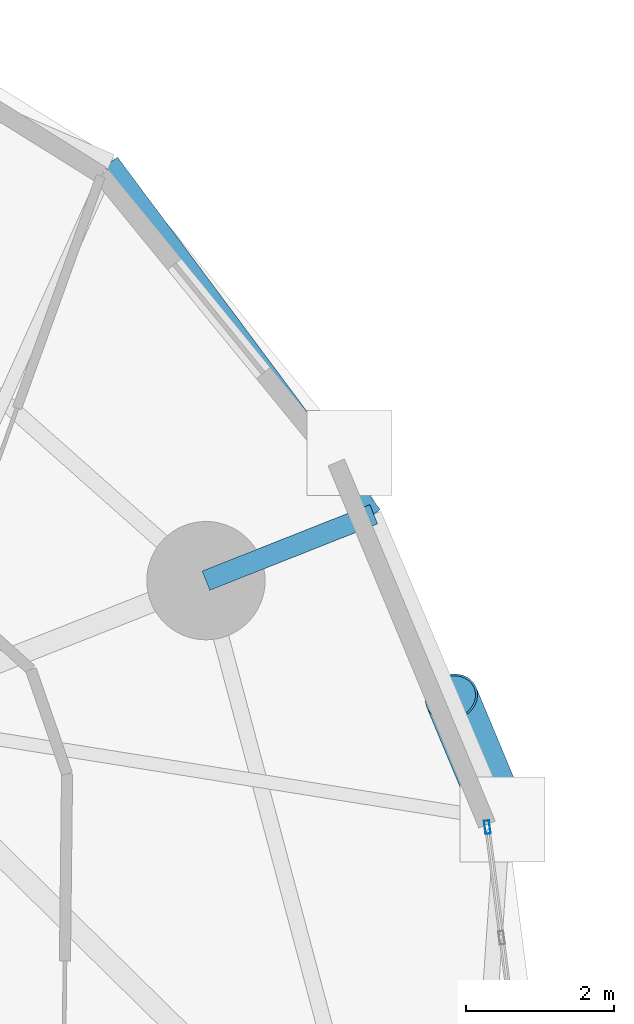
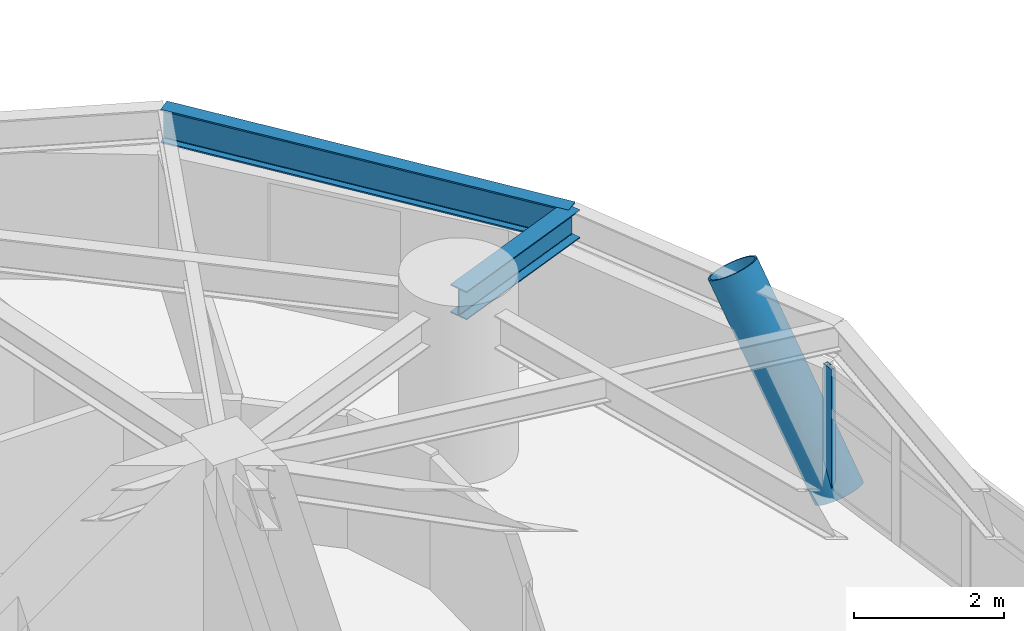
# One storey, part 5 of 18: 2 beams, 2 members, 1 element without a shape of its own.
"""IFC4 building model written with IfcOpenShell, lengths in metres."""

from ifc_helpers import new_model, si_unit, direction, frame, origin, origin_2d, place, context, subcontext, project, spatial, hollow_rectangle, hollow_circle, i_section, extrude, material, layer, layer_set, material_profile, profile_set, type_object, element, aggregate, save


model = new_model("IFC4")

# Units and contexts
model_context = context("Model", 3, precision=1e-05, world=origin(), true_north=direction((0.0, 1.0)))
body_context = subcontext(model_context, "Body", "Model", "MODEL_VIEW")
ifc_project = project(units=[si_unit("LENGTHUNIT", "METRE"), si_unit("AREAUNIT", "SQUARE_METRE"), si_unit("VOLUMEUNIT", "CUBIC_METRE"), si_unit("PLANEANGLEUNIT", "RADIAN"), si_unit("MASSUNIT", "GRAM", prefix="KILO")], contexts=[model_context])

# Site, building, storey
site_placement = place(None, origin())
site = spatial("IfcSite", under=ifc_project, at=site_placement, CompositionType="ELEMENT")
building_placement = place(site_placement, origin())
building = spatial("IfcBuilding", under=site, at=building_placement, Name="Cununo Teusaquillo Station Towers", CompositionType="ELEMENT")
storey_placement = place(building_placement, frame((0.0, 0.0, 22.0)))
storey = spatial("IfcBuildingStorey", under=building, at=storey_placement, Name="L05", CompositionType="ELEMENT", Elevation=22.0)

# Beams
ifc_material_1 = material(Name="Steel ASTM A572 Grade 50", Category="steel")
ifc_material_profile_1 = material_profile(ifc_material_1, i_section(OverallWidth=0.280029296875, OverallDepth=0.462890625, WebThickness=0.0107421875, FlangeThickness=0.017333984375, FilletRadius=0.013916015625, at=origin_2d()), Name="W18X76")
ifc_profile_set_1 = profile_set([ifc_material_profile_1], Name="Steel ASTM A572 Grade 50")
beam_type_1 = type_object("IfcBeamType", Name="BM-RAD-G1", PredefinedType="BEAM", material=ifc_profile_set_1)
beam_1_placement = place(storey_placement, frame((26.347412109375, 33.228515625, 2.41845703125), z_axis=(0.929850112637, 0.367938538384, 0.0), x_axis=(-0.367938538384, 0.929850112637, 0.0)))
element("IfcBeam", 1, at=beam_1_placement, inside=storey, type_object=beam_type_1, Name="L05 Tower A Perimeter Overhang Girder 02B", PredefinedType="BEAM", context=body_context, shape_type="SweptSolid", body=[
    extrude(i_section(OverallWidth=0.280029296875, OverallDepth=0.462890625, WebThickness=0.0107421875, FlangeThickness=0.017333984375, FilletRadius=0.013916015625, at=origin_2d()), origin(), (0.0, 0.0, 1.0), 2.4404296875),
])
ifc_material_2 = material(Name="Steel ASTM A572 Grade 50", Category="steel")
ifc_material_profile_2 = material_profile(ifc_material_2, i_section(OverallWidth=0.214111328125, OverallDepth=0.549072265625, WebThickness=0.0146484375, FlangeThickness=0.023681640625, FilletRadius=0.014892578125, at=origin_2d()), Name="W21X93")
ifc_profile_set_2 = profile_set([ifc_material_profile_2], Name="Steel ASTM A572 Grade 50")
beam_type_2 = type_object("IfcBeamType", Name="BM-RING-Z1", PredefinedType="SPANDREL", material=ifc_profile_set_2)
beam_2_placement = place(storey_placement, frame((28.61669921875, 34.12646484375, 2.37548828125), z_axis=(-0.597585408829, 0.801805262613, 0.0), x_axis=(-0.801805262613, -0.597585408829, 0.0)))
element("IfcBeam", 2, at=beam_2_placement, inside=storey, type_object=beam_type_2, Name="L05 Tower A Spandrel Ring Beam 03", PredefinedType="SPANDREL", context=body_context, shape_type="SweptSolid", body=[
    extrude(i_section(OverallWidth=0.214111328125, OverallDepth=0.549072265625, WebThickness=0.0146484375, FlangeThickness=0.023681640625, FilletRadius=0.014892578125, at=origin_2d()), origin(), (0.0, 0.0, 1.0), 5.94384765625),
])

# Curtain wall, member
ifc_material_3 = material(Name="Ceramic-fritted dark low-E double glazing", Category="glass")
ifc_layer = layer(ifc_material_3, 0.179931640625)
ifc_layer_set = layer_set([ifc_layer], Name="Ceramic-fritted dark low-E double glazing")
curtain_wall_type = type_object("IfcCurtainWallType", Name="CW-SYS-02", PredefinedType="USERDEFINED", material=ifc_layer_set)
curtain_wall_placement = place(storey_placement, origin())
curtain_wall = element("IfcCurtainWall", 3, at=curtain_wall_placement, inside=storey, type_object=curtain_wall_type, Name="L05 Tower A Facade Curtain Wall C00", ObjectType="FRITTED GLAZING", PredefinedType="USERDEFINED")
ifc_material_4 = material(Name="Anodised dark bronze aluminium EN AW-6063-T6", Category="aluminium")
ifc_material_profile_3 = material_profile(ifc_material_4, hollow_rectangle(XDim=0.070068359375, YDim=0.179931640625, WallThickness=0.00390625, at=origin_2d()), Name="CW-MULL-70x180")
ifc_profile_set_3 = profile_set([ifc_material_profile_3], Name="Anodised dark bronze aluminium EN AW-6063-T6")
member_type_1 = type_object("IfcMemberType", Name="CWM-180", PredefinedType="MULLION", material=ifc_profile_set_3)
member_1_placement = place(storey_placement, frame((30.153076171875, 29.894775390625, 0.0), z_axis=(0.0, 0.0, 1.0), x_axis=(0.991736471431, 0.128291742659, 0.0)))
member_1 = element("IfcMember", 4, at=member_1_placement, type_object=member_type_1, Name="CW-02 mullion 1", PredefinedType="MULLION", context=body_context, shape_type="SweptSolid", body=[
    extrude(hollow_rectangle(XDim=0.070068359375, YDim=0.179931640625, WallThickness=0.00390625, at=origin_2d()), origin(), (0.0, 0.0, 1.0), 2.072998046875),
])
aggregate(curtain_wall, [member_1])

# Member
ifc_material_5 = material(Name="Steel EN 10025-2 S355J2", Category="steel")
ifc_material_profile_4 = material_profile(ifc_material_5, hollow_circle(Radius=0.360107421875, WallThickness=0.028076171875, at=origin_2d()), Name="CHS 720x28")
ifc_profile_set_4 = profile_set([ifc_material_profile_4], Name="Steel EN 10025-2 S355J2")
member_type_2 = type_object("IfcMemberType", Name="MBR-DIAG-Z1", PredefinedType="BRACE", material=ifc_profile_set_4)
member_2_placement = place(storey_placement, frame((30.35791015625, 29.997314453125, -0.139892578125), z_axis=(-0.2019110902, 0.483772113143, 0.851584672361), x_axis=(-0.92284691328, -0.385166943868, 0.0)))
element("IfcMember", 5, at=member_2_placement, inside=storey, type_object=member_type_2, Name="L05 Tower A Folded-Zigzag Diagrid Tube C01", PredefinedType="BRACE", context=body_context, shape_type="SweptSolid", body=[
    extrude(hollow_circle(Radius=0.360107421875, WallThickness=0.028076171875, at=origin_2d()), origin(), (0.0, 0.0, 1.0), 3.4169921875),
])

save(model, "model.ifc")
